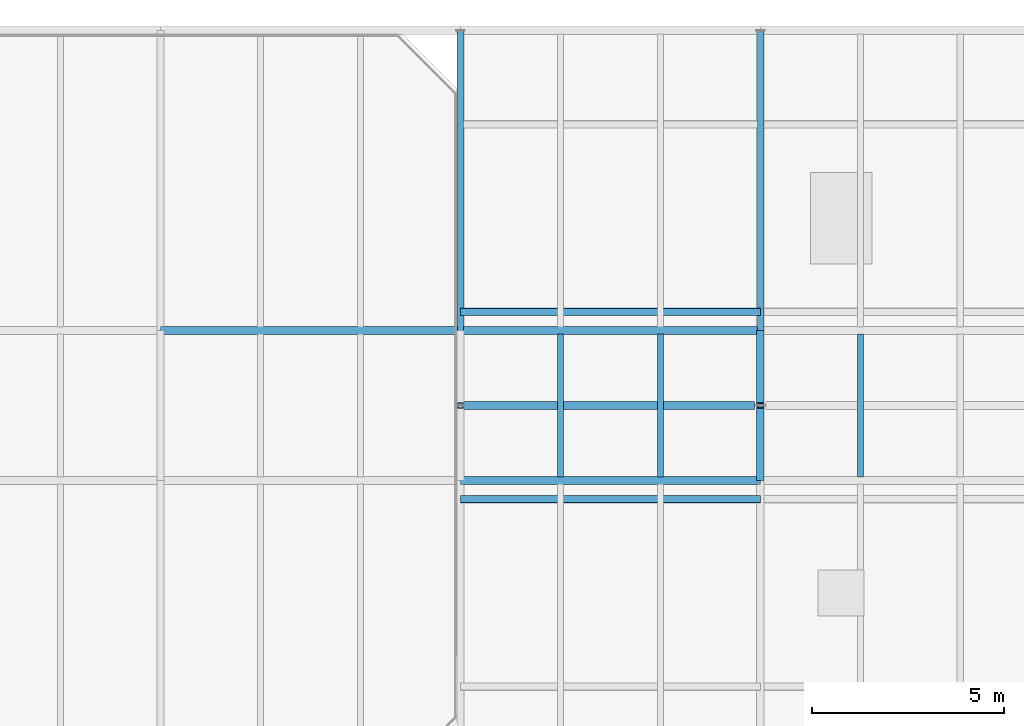
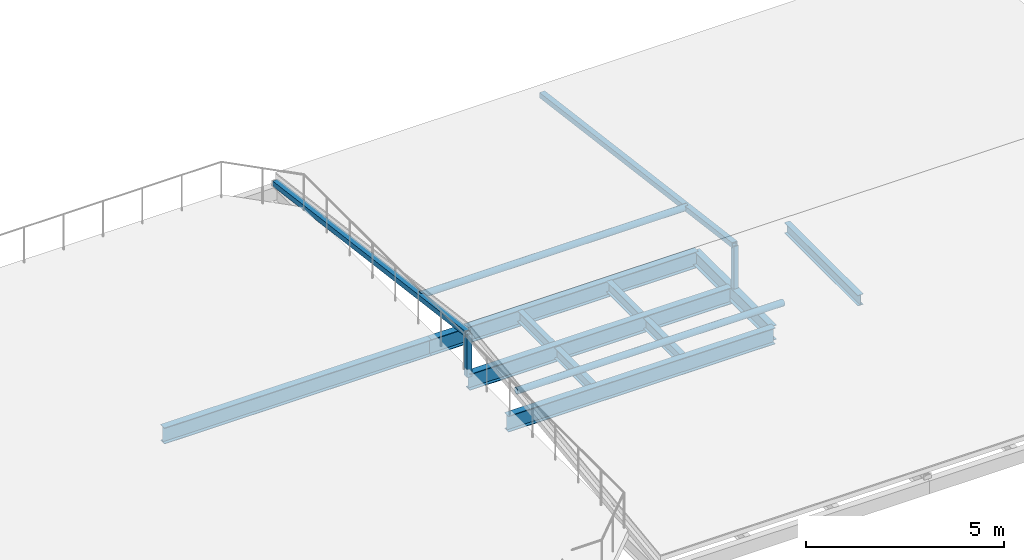
# One storey, part 63 of 119: 8 beams, 6 members.
"""IFC4 building model written with IfcOpenShell, lengths in metres."""

from ifc_helpers import new_model, si_unit, direction, frame, origin, origin_2d, place, context, subcontext, project, spatial, hollow_rectangle, hollow_circle, i_section, extrude, material, material_profile, profile_set, type_object, element, save


model = new_model("IFC4")

# Units and contexts
model_context = context("Model", 3, precision=1e-05, world=origin(), true_north=direction((0.0, 1.0)))
body_context = subcontext(model_context, "Body", "Model", "MODEL_VIEW")
ifc_project = project(units=[si_unit("LENGTHUNIT", "METRE"), si_unit("AREAUNIT", "SQUARE_METRE"), si_unit("VOLUMEUNIT", "CUBIC_METRE"), si_unit("PLANEANGLEUNIT", "RADIAN"), si_unit("MASSUNIT", "GRAM", prefix="KILO")], contexts=[model_context])

# Site, building, storey
site_placement = place(None, origin())
site = spatial("IfcSite", under=ifc_project, at=site_placement, CompositionType="ELEMENT")
building_placement = place(site_placement, origin())
building = spatial("IfcBuilding", under=site, at=building_placement, Name="Celorna Specialist Clinic", CompositionType="ELEMENT")
storey_placement = place(building_placement, frame((0.0, 0.0, 9.60009765625)))
storey = spatial("IfcBuildingStorey", under=building, at=storey_placement, Name="L02", CompositionType="ELEMENT", Elevation=9.60009765625)

# Beams
ifc_material = material(Name="Steel S355", Category="steel")
ifc_material_profile_1 = material_profile(ifc_material, i_section(OverallWidth=0.199951171875, OverallDepth=0.5, WebThickness=0.01025390625, FlangeThickness=0.01611328125, at=origin_2d()), Name="IPE 500")
ifc_profile_set_1 = profile_set([ifc_material_profile_1], Name="Steel S355")
beam_type_1 = type_object("IfcBeamType", Name="BM-08", PredefinedType="BEAM", material=ifc_profile_set_1)
for number, where, z_axis, x_axis, name in (
    (1, (148.199951171875, 104.300048828125, -0.510009765625), (1.0, 0.0, 0.0), (0.0, 1.0, 0.0), "Primary girder BM-08 #2254"),
    (2, (140.39990234375, 108.199951171875, -0.510009765625), (1.0, 0.0, 0.0), (0.0, 1.0, 0.0), "Primary girder BM-08 #2258"),
    (3, (148.199951171875, 108.199951171875, -0.510009765625), (1.0, 0.0, 0.0), (0.0, 1.0, 0.0), "Primary girder BM-08 #2259"),
):
    element("IfcBeam", number, at=place(storey_placement, frame(where, z_axis=z_axis, x_axis=x_axis)), inside=storey, type_object=beam_type_1, Name=name, PredefinedType="BEAM", context=body_context, shape_type="SweptSolid", body=[
        extrude(i_section(OverallWidth=0.199951171875, OverallDepth=0.5, WebThickness=0.01025390625, FlangeThickness=0.01611328125, at=origin_2d()), origin(), (0.0, 0.0, 1.0), 7.800048828125),
    ])
beam_1_placement = place(storey_placement, frame((148.199951171875, 106.25, -0.400146484375), z_axis=(1.0, 0.0, 0.0), x_axis=(0.0, 1.0, 0.0)))
element("IfcBeam", 4, at=beam_1_placement, inside=storey, type_object=beam_type_1, Name="V4 east pavilion roof ridge girder", PredefinedType="BEAM", context=body_context, shape_type="SweptSolid", body=[
    extrude(i_section(OverallWidth=0.199951171875, OverallDepth=0.5, WebThickness=0.01025390625, FlangeThickness=0.01611328125, at=origin_2d()), origin(), (0.0, 0.0, 1.0), 7.650146484375),
])
ifc_material_profile_2 = material_profile(ifc_material, i_section(OverallWidth=0.18994140625, OverallDepth=0.449951171875, WebThickness=0.009521484375, FlangeThickness=0.0146484375, at=origin_2d()), Name="IPE 450")
ifc_profile_set_2 = profile_set([ifc_material_profile_2], Name="Steel S355")
beam_type_2 = type_object("IfcBeamType", Name="BM-09", PredefinedType="BEAM", material=ifc_profile_set_2)
beam_2_placement = place(storey_placement, frame((156.0, 104.300048828125, -0.485107421875), z_axis=(0.0, 1.0, 0.0), x_axis=(-1.0, 0.0, 0.0)))
element("IfcBeam", 5, at=beam_2_placement, inside=storey, type_object=beam_type_2, Name="Transverse girder BM-09 #2274", PredefinedType="BEAM", context=body_context, shape_type="SweptSolid", body=[
    extrude(i_section(OverallWidth=0.18994140625, OverallDepth=0.449951171875, WebThickness=0.009521484375, FlangeThickness=0.0146484375, at=origin_2d()), origin(), (0.0, 0.0, 1.0), 3.89990234375),
])
ifc_material_profile_3 = material_profile(ifc_material, i_section(OverallWidth=0.159912109375, OverallDepth=0.330078125, WebThickness=0.007568359375, FlangeThickness=0.011474609375, at=origin_2d()), Name="IPE 330")
ifc_profile_set_3 = profile_set([ifc_material_profile_3], Name="Steel S355")
beam_type_3 = type_object("IfcBeamType", Name="BM-12", PredefinedType="JOIST", material=ifc_profile_set_3)
for number, where, z_axis, x_axis, name in (
    (6, (150.800048828125, 104.387939453125, -0.425048828125), (0.0, 1.0, 0.0), (-1.0, 0.0, 0.0), "Secondary floor joist BM-12 #2296"),
    (7, (153.39990234375, 104.387939453125, -0.425048828125), (0.0, 1.0, 0.0), (-1.0, 0.0, 0.0), "Secondary floor joist BM-12 #2297"),
    (8, (158.60009765625, 104.387939453125, -0.425048828125), (0.0, 1.0, 0.0), (-1.0, 0.0, 0.0), "Secondary floor joist BM-12 #2302"),
):
    element("IfcBeam", number, at=place(storey_placement, frame(where, z_axis=z_axis, x_axis=x_axis)), inside=storey, type_object=beam_type_3, Name=name, PredefinedType="JOIST", context=body_context, shape_type="SweptSolid", body=[
        extrude(i_section(OverallWidth=0.159912109375, OverallDepth=0.330078125, WebThickness=0.007568359375, FlangeThickness=0.011474609375, at=origin_2d()), origin(), (0.0, 0.0, 1.0), 3.72412109375),
    ])

# Members
ifc_material_profile_4 = material_profile(ifc_material, hollow_circle(Radius=0.096923828125, WallThickness=0.010009765625, at=origin_2d()), Name="CHS 193.7x10")
ifc_profile_set_4 = profile_set([ifc_material_profile_4], Name="Steel S355")
member_type_1 = type_object("IfcMemberType", Name="MB-04", PredefinedType="PURLIN", material=ifc_profile_set_4)
for number, where, z_axis, x_axis, name in (
    (9, (148.199951171875, 103.8125, 0.760498046875), (1.0, 0.0, 0.0), (0.0, 1.0, 0.0), "Roof purlin WP-356-WP-357"),
    (10, (148.199951171875, 108.6875, 0.760498046875), (1.0, 0.0, 0.0), (0.0, 1.0, 0.0), "Roof purlin WP-362-WP-363"),
):
    element("IfcMember", number, at=place(storey_placement, frame(where, z_axis=z_axis, x_axis=x_axis)), inside=storey, type_object=member_type_1, Name=name, PredefinedType="PURLIN", context=body_context, shape_type="SweptSolid", body=[
        extrude(hollow_circle(Radius=0.096923828125, WallThickness=0.010009765625, at=origin_2d()), origin(), (0.0, 0.0, 1.0), 7.800048828125),
    ])
ifc_material_profile_5 = material_profile(ifc_material, hollow_rectangle(XDim=0.159912109375, YDim=0.159912109375, WallThickness=0.010009765625, at=origin_2d()), Name="SHS 160x160x10")
ifc_profile_set_5 = profile_set([ifc_material_profile_5], Name="Steel S355")
member_type_2 = type_object("IfcMemberType", Name="MB-09", PredefinedType="CHORD", material=ifc_profile_set_5)
for number, where, z_axis, x_axis, name in (
    (11, (148.199951171875, 106.25, 1.06787109375), (0.0, 0.991622826619, -0.129167216148), (-1.0, 0.0, 0.0), "Pitched roof rafter chord WP-348-WP-359"),
    (12, (156.0, 106.25, 1.06787109375), (0.0, 0.991622826619, -0.129167216148), (-1.0, 0.0, 0.0), "Pitched roof rafter chord WP-350-WP-360"),
):
    element("IfcMember", number, at=place(storey_placement, frame(where, z_axis=z_axis, x_axis=x_axis)), inside=storey, type_object=member_type_2, Name=name, PredefinedType="CHORD", context=body_context, shape_type="SweptSolid", body=[
        extrude(hollow_rectangle(XDim=0.159912109375, YDim=0.159912109375, WallThickness=0.010009765625, at=origin_2d()), origin(), (0.0, 0.0, 1.0), 9.832275390625),
    ])
ifc_material_profile_6 = material_profile(ifc_material, hollow_rectangle(XDim=0.139892578125, YDim=0.139892578125, WallThickness=0.008056640625, at=origin_2d()), Name="SHS 140x140x8")
ifc_profile_set_6 = profile_set([ifc_material_profile_6], Name="Steel S355")
member_type_3 = type_object("IfcMemberType", Name="MB-10", PredefinedType="CHORD", material=ifc_profile_set_6)
for number, where, z_axis, x_axis, name in (
    (13, (148.199951171875, 106.25, -0.25), (0.0, 0.0, 1.0), (1.0, 0.0, 0.0), "Roof ridge/eave support post ROOF-V4-EAST-S"),
    (14, (156.0, 106.25, -0.25), (0.0, 0.0, 1.0), (1.0, 0.0, 0.0), "Roof ridge/eave support post ROOF-V4-EAST-S"),
):
    element("IfcMember", number, at=place(storey_placement, frame(where, z_axis=z_axis, x_axis=x_axis)), inside=storey, type_object=member_type_3, Name=name, PredefinedType="CHORD", context=body_context, shape_type="SweptSolid", body=[
        extrude(hollow_rectangle(XDim=0.139892578125, YDim=0.139892578125, WallThickness=0.008056640625, at=origin_2d()), origin(), (0.0, 0.0, 1.0), 1.31787109375),
    ])

save(model, "model.ifc")
